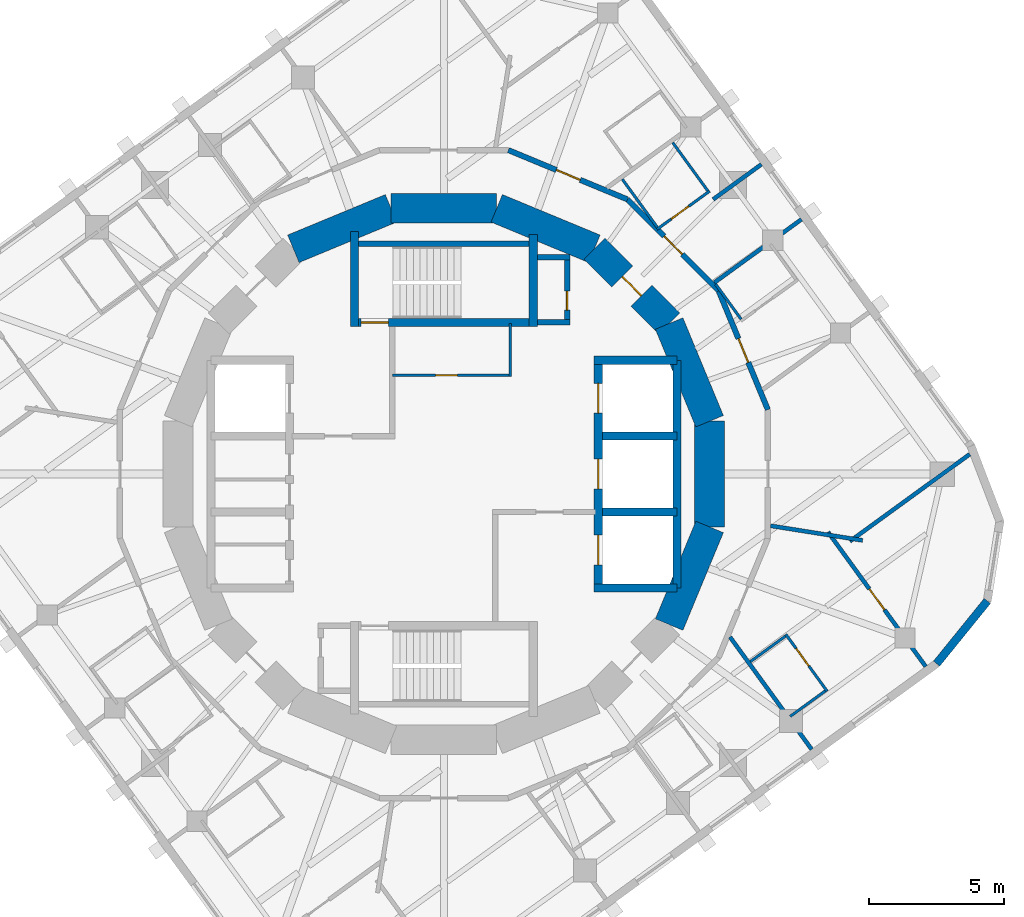
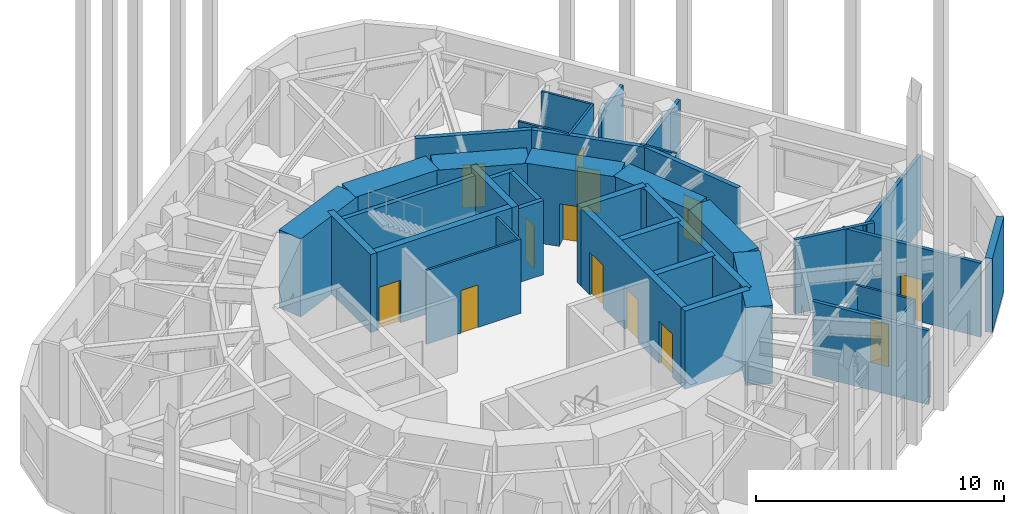
# One storey, part 6 of 9: 39 walls, 13 doors, 13 openings.
"""IFC4 building model written with IfcOpenShell, lengths in metres."""

from ifc_helpers import new_model, si_unit, direction, frame, frame_2d, origin, place, context, subcontext, project, spatial, rectangle, extrude, material, layer, layer_set, type_object, element, fill, save


model = new_model("IFC4")

# Units and contexts
model_context = context("Model", 3, precision=1e-05, world=origin(), true_north=direction((0.0, 1.0)))
body_context = subcontext(model_context, "Body", "Model", "MODEL_VIEW")
ifc_project = project(units=[si_unit("LENGTHUNIT", "METRE"), si_unit("AREAUNIT", "SQUARE_METRE"), si_unit("VOLUMEUNIT", "CUBIC_METRE"), si_unit("PLANEANGLEUNIT", "RADIAN"), si_unit("MASSUNIT", "GRAM", prefix="KILO")], contexts=[model_context])

# Site, building, storey
site_placement = place(None, origin())
site = spatial("IfcSite", under=ifc_project, at=site_placement, CompositionType="ELEMENT")
building_placement = place(site_placement, origin())
building = spatial("IfcBuilding", under=site, at=building_placement, Name="Nakasero Lantern House", CompositionType="ELEMENT")
storey_placement = place(building_placement, frame((0.0, 0.0, 263.75)))
storey = spatial("IfcBuildingStorey", under=building, at=storey_placement, Name="L64", CompositionType="ELEMENT", Elevation=263.75)

# Wall, openings, doors
ifc_material_1 = material(Name="Concrete C50/60", Category="concrete")
ifc_layer_1 = layer(ifc_material_1, 0.300048828125)
ifc_layer_set_1 = layer_set([ifc_layer_1], Name="Core inner wall 300")
wall_type_1 = type_object("IfcWallType", Name="Core inner wall 300", PredefinedType="SHEAR", material=ifc_layer_set_1)
wall_1_placement = place(storey_placement, frame((5.699951171875, -4.199951171875, 0.0), z_axis=(0.0, 0.0, 1.0), x_axis=(0.0, 1.0, 0.0)))
wall_1 = element("IfcWall", 1, at=wall_1_placement, inside=storey, type_object=wall_type_1, Name="Core inner wall L64 LE", PredefinedType="SHEAR", context=body_context, shape_type="SweptSolid", body=[
    extrude(rectangle(XDim=8.39990234375, YDim=0.300048828125, at=frame_2d((4.199951171875, 0.0))), origin(), (0.0, 0.0, 1.0), 3.85009765625),
])
opening_1_placement = place(wall_1_placement, frame((0.85009765625, 0.0, 0.0)))
opening_1 = element("IfcOpeningElement", 2, at=opening_1_placement, cuts=wall_1, Name="Opening LD", PredefinedType="OPENING", context=body_context, shape_type="SweptSolid", body=[
    extrude(rectangle(XDim=1.10009765625, YDim=2.10009765625, at=frame_2d((0.550048828125, 1.050048828125))), frame((0.0, 0.169921875, 0.0), z_axis=(0.0, -1.0, 0.0), x_axis=(1.0, 0.0, 0.0)), (0.0, 0.0, 1.0), 0.340087890625),
])
opening_2_placement = place(wall_1_placement, frame((3.64990234375, 0.0, 0.0)))
opening_2 = element("IfcOpeningElement", 3, at=opening_2_placement, cuts=wall_1, Name="Opening LD", PredefinedType="OPENING", context=body_context, shape_type="SweptSolid", body=[
    extrude(rectangle(XDim=1.10009765625, YDim=2.10009765625, at=frame_2d((0.550048828125, 1.050048828125))), frame((0.0, 0.169921875, 0.0), z_axis=(0.0, -1.0, 0.0), x_axis=(1.0, 0.0, 0.0)), (0.0, 0.0, 1.0), 0.340087890625),
])
opening_3_placement = place(wall_1_placement, frame((6.449951171875, 0.0, 0.0)))
opening_3 = element("IfcOpeningElement", 4, at=opening_3_placement, cuts=wall_1, Name="Opening LD", PredefinedType="OPENING", context=body_context, shape_type="SweptSolid", body=[
    extrude(rectangle(XDim=1.10009765625, YDim=2.10009765625, at=frame_2d((0.550048828125, 1.050048828125))), frame((0.0, 0.169921875, 0.0), z_axis=(0.0, -1.0, 0.0), x_axis=(1.0, 0.0, 0.0)), (0.0, 0.0, 1.0), 0.340087890625),
])
ifc_material_2 = material(Name="Steel S355", Category="steel")
door_type_1 = type_object("IfcDoorType", Name="Lift landing door E120 1100", OperationType="SLIDING_TO_LEFT", PredefinedType="DOOR", material=ifc_material_2)
door_1_placement = place(opening_1_placement, origin())
door_1 = element("IfcDoor", 5, at=door_1_placement, inside=storey, type_object=door_type_1, Name="Lift landing door LE1", OperationType="SLIDING_TO_LEFT", OverallHeight=2.10009765625, OverallWidth=1.10009765625, PredefinedType="DOOR", context=body_context, shape_type="SweptSolid", body=[
    extrude(rectangle(XDim=1.10009765625, YDim=2.10009765625, at=frame_2d((0.550048828125, 1.050048828125))), frame((0.0, 0.02490234375, 0.0), z_axis=(0.0, -1.0, 0.0), x_axis=(1.0, 0.0, 0.0)), (0.0, 0.0, 1.0), 0.050048828125),
])
fill(opening_1, door_1)
door_2_placement = place(opening_2_placement, origin())
door_2 = element("IfcDoor", 6, at=door_2_placement, inside=storey, type_object=door_type_1, Name="Lift landing door LE2", OperationType="SLIDING_TO_LEFT", OverallHeight=2.10009765625, OverallWidth=1.10009765625, PredefinedType="DOOR", context=body_context, shape_type="SweptSolid", body=[
    extrude(rectangle(XDim=1.10009765625, YDim=2.10009765625, at=frame_2d((0.550048828125, 1.050048828125))), frame((0.0, 0.02490234375, 0.0), z_axis=(0.0, -1.0, 0.0), x_axis=(1.0, 0.0, 0.0)), (0.0, 0.0, 1.0), 0.050048828125),
])
fill(opening_2, door_2)
door_3_placement = place(opening_3_placement, origin())
door_3 = element("IfcDoor", 7, at=door_3_placement, inside=storey, type_object=door_type_1, Name="Lift landing door LE3", OperationType="SLIDING_TO_LEFT", OverallHeight=2.10009765625, OverallWidth=1.10009765625, PredefinedType="DOOR", context=body_context, shape_type="SweptSolid", body=[
    extrude(rectangle(XDim=1.10009765625, YDim=2.10009765625, at=frame_2d((0.550048828125, 1.050048828125))), frame((0.0, 0.02490234375, 0.0), z_axis=(0.0, -1.0, 0.0), x_axis=(1.0, 0.0, 0.0)), (0.0, 0.0, 1.0), 0.050048828125),
])
fill(opening_3, door_3)

# Walls
for number, where, z_axis, x_axis, name in (
    (8, (5.550048828125, 4.199951171875, 0.0), (0.0, 0.0, 1.0), (1.0, 0.0, 0.0), "Core inner wall L64 LEN"),
    (9, (5.550048828125, -4.199951171875, 0.0), (0.0, 0.0, 1.0), (1.0, 0.0, 0.0), "Core inner wall L64 LES"),
):
    element("IfcWall", number, at=place(storey_placement, frame(where, z_axis=z_axis, x_axis=x_axis)), inside=storey, type_object=wall_type_1, Name=name, PredefinedType="SHEAR", context=body_context, shape_type="SweptSolid", body=[
        extrude(rectangle(XDim=3.050048828125, YDim=0.300048828125, at=frame_2d((1.52490234375, 0.0))), origin(), (0.0, 0.0, 1.0), 3.85009765625),
    ])
wall_2_placement = place(storey_placement, frame((8.60009765625, -4.199951171875, 0.0), z_axis=(0.0, 0.0, 1.0), x_axis=(0.0, 1.0, 0.0)))
element("IfcWall", 10, at=wall_2_placement, inside=storey, type_object=wall_type_1, Name="Core inner wall L64 LEB", PredefinedType="SHEAR", context=body_context, shape_type="SweptSolid", body=[
    extrude(rectangle(XDim=8.39990234375, YDim=0.300048828125, at=frame_2d((4.199951171875, 0.0))), origin(), (0.0, 0.0, 1.0), 3.85009765625),
])
for number, where, z_axis, x_axis, name in (
    (11, (5.85009765625, -1.39990234375, 0.0), (0.0, 0.0, 1.0), (1.0, 0.0, 0.0), "Core inner wall L64 LE1"),
    (12, (5.85009765625, 1.39990234375, 0.0), (0.0, 0.0, 1.0), (1.0, 0.0, 0.0), "Core inner wall L64 LE2"),
):
    element("IfcWall", number, at=place(storey_placement, frame(where, z_axis=z_axis, x_axis=x_axis)), inside=storey, type_object=wall_type_1, Name=name, PredefinedType="SHEAR", context=body_context, shape_type="SweptSolid", body=[
        extrude(rectangle(XDim=2.75, YDim=0.300048828125, at=frame_2d((1.375, 0.0))), origin(), (0.0, 0.0, 1.0), 3.85009765625),
    ])

# Wall, opening, door
wall_3_placement = place(storey_placement, frame((-3.449951171875, 5.60009765625, 0.0), z_axis=(0.0, 0.0, 1.0), x_axis=(1.0, 0.0, 0.0)))
wall_3 = element("IfcWall", 13, at=wall_3_placement, inside=storey, type_object=wall_type_1, Name="Core inner wall L64 SN", PredefinedType="SHEAR", context=body_context, shape_type="SweptSolid", body=[
    extrude(rectangle(XDim=6.89990234375, YDim=0.300048828125, at=frame_2d((3.449951171875, 0.0))), origin(), (0.0, 0.0, 1.0), 3.85009765625),
])
opening_4_placement = place(wall_3_placement, frame((0.39990234375, 0.0, 0.0)))
opening_4 = element("IfcOpeningElement", 14, at=opening_4_placement, cuts=wall_3, Name="Opening D05", PredefinedType="OPENING", context=body_context, shape_type="SweptSolid", body=[
    extrude(rectangle(XDim=1.0, YDim=2.10009765625, at=frame_2d((0.5, 1.050048828125))), frame((0.0, 0.169921875, 0.0), z_axis=(0.0, -1.0, 0.0), x_axis=(1.0, 0.0, 0.0)), (0.0, 0.0, 1.0), 0.340087890625),
])
ifc_material_3 = material(Name="Timber C24", Category="wood")
door_type_2 = type_object("IfcDoorType", Name="Core door FD60S 1000", OperationType="SINGLE_SWING_LEFT", PredefinedType="DOOR", material=ifc_material_3)
door_4_placement = place(opening_4_placement, origin())
door_4 = element("IfcDoor", 15, at=door_4_placement, inside=storey, type_object=door_type_2, Name="Door L64 D-ST1", OperationType="SINGLE_SWING_LEFT", OverallHeight=2.10009765625, OverallWidth=1.0, PredefinedType="DOOR", context=body_context, shape_type="SweptSolid", body=[
    extrude(rectangle(XDim=1.0, YDim=2.10009765625, at=frame_2d((0.5, 1.050048828125))), frame((0.0, 0.02490234375, 0.0), z_axis=(0.0, -1.0, 0.0), x_axis=(1.0, 0.0, 0.0)), (0.0, 0.0, 1.0), 0.050048828125),
])
fill(opening_4, door_4)

# Walls
wall_4_placement = place(storey_placement, frame((-3.300048828125, 5.449951171875, 0.0), z_axis=(0.0, 0.0, 1.0), x_axis=(0.0, 1.0, 0.0)))
element("IfcWall", 16, at=wall_4_placement, inside=storey, type_object=wall_type_1, Name="Core inner wall L64 SNW", PredefinedType="SHEAR", context=body_context, shape_type="SweptSolid", body=[
    extrude(rectangle(XDim=3.5, YDim=0.300048828125, at=frame_2d((1.75, 0.0))), origin(), (0.0, 0.0, 1.0), 3.85009765625),
])
wall_5_placement = place(storey_placement, frame((3.300048828125, 5.449951171875, 0.0), z_axis=(0.0, 0.0, 1.0), x_axis=(0.0, 1.0, 0.0)))
element("IfcWall", 17, at=wall_5_placement, inside=storey, type_object=wall_type_1, Name="Core inner wall L64 SNE", PredefinedType="SHEAR", context=body_context, shape_type="SweptSolid", body=[
    extrude(rectangle(XDim=3.400146484375, YDim=0.300048828125, at=frame_2d((1.7001953125, 0.0))), origin(), (0.0, 0.0, 1.0), 3.85009765625),
])

# Wall, opening, door
ifc_material_4 = material(Name="Blockwork", Category="masonry")
ifc_layer_2 = layer(ifc_material_4, 0.10009765625)
ifc_layer_set_2 = layer_set([ifc_layer_2], Name="Core room wall 100")
wall_type_2 = type_object("IfcWallType", Name="Core room wall 100", PredefinedType="PARTITIONING", material=ifc_layer_set_2)
wall_6_placement = place(storey_placement, frame((-1.89990234375, 3.64990234375, 0.0), z_axis=(0.0, 0.0, 1.0), x_axis=(1.0, 0.0, 0.0)))
wall_6 = element("IfcWall", 18, at=wall_6_placement, inside=storey, type_object=wall_type_2, Name="Core room wall L64 CR-NES", PredefinedType="PARTITIONING", context=body_context, shape_type="SweptSolid", body=[
    extrude(rectangle(XDim=4.39990234375, YDim=0.10009765625, at=frame_2d((2.199951171875, 0.0))), origin(), (0.0, 0.0, 1.0), 3.64990234375),
])
opening_5_placement = place(wall_6_placement, frame((1.60009765625, 0.0, 0.0)))
opening_5 = element("IfcOpeningElement", 19, at=opening_5_placement, cuts=wall_6, Name="Opening D15", PredefinedType="OPENING", context=body_context, shape_type="SweptSolid", body=[
    extrude(rectangle(XDim=0.800048828125, YDim=2.10009765625, at=frame_2d((0.39990234375, 1.050048828125))), frame((0.0, 0.070068359375, 0.0), z_axis=(0.0, -1.0, 0.0), x_axis=(1.0, 0.0, 0.0)), (0.0, 0.0, 1.0), 0.14013671875),
])
ifc_material_5 = material(Name="Timber C24", Category="wood")
door_type_3 = type_object("IfcDoorType", Name="Cleaner's store door FD30S 800", OperationType="SINGLE_SWING_LEFT", PredefinedType="DOOR", material=ifc_material_5)
door_5_placement = place(opening_5_placement, origin())
door_5 = element("IfcDoor", 20, at=door_5_placement, inside=storey, type_object=door_type_3, Name="Door L64 D-CR-NE", OperationType="SINGLE_SWING_LEFT", OverallHeight=2.10009765625, OverallWidth=0.800048828125, PredefinedType="DOOR", context=body_context, shape_type="SweptSolid", body=[
    extrude(rectangle(XDim=0.800048828125, YDim=2.10009765625, at=frame_2d((0.39990234375, 1.050048828125))), frame((0.0, 0.02490234375, 0.0), z_axis=(0.0, -1.0, 0.0), x_axis=(1.0, 0.0, 0.0)), (0.0, 0.0, 1.0), 0.050048828125),
])
fill(opening_5, door_5)

# Walls
wall_7_placement = place(storey_placement, frame((2.449951171875, 3.60009765625, 0.0), z_axis=(0.0, 0.0, 1.0), x_axis=(0.0, 1.0, 0.0)))
element("IfcWall", 21, at=wall_7_placement, inside=storey, type_object=wall_type_2, Name="Core room wall L64 CR-NEE", PredefinedType="PARTITIONING", context=body_context, shape_type="SweptSolid", body=[
    extrude(rectangle(XDim=1.949951171875, YDim=0.10009765625, at=frame_2d((0.97509765625, 0.0))), origin(), (0.0, 0.0, 1.0), 3.64990234375),
])
ifc_material_6 = material(Name="Concrete C50/60", Category="concrete")
ifc_layer_3 = layer(ifc_material_6, 1.10009765625)
ifc_layer_set_3 = layer_set([ifc_layer_3], Name="Core wall 1100")
wall_type_3 = type_object("IfcWallType", Name="Core wall 1100", PredefinedType="SHEAR", material=ifc_layer_set_3)
wall_8_placement = place(storey_placement, frame((9.807861328125, 1.950927734375, 0.0), z_axis=(0.0, 0.0, 1.0), x_axis=(-0.382690736062, 0.923876507187, 0.0)))
element("IfcWall", 22, at=wall_8_placement, inside=storey, type_object=wall_type_3, Name="Core wall L64 facet 1", PredefinedType="SHEAR", context=body_context, shape_type="SweptSolid", body=[
    extrude(rectangle(XDim=3.90185546875, YDim=1.10009765625, at=frame_2d((1.950927734375, 0.0))), origin(), (0.0, 0.0, 1.0), 3.85009765625),
])

# Wall, opening, door
wall_9_placement = place(storey_placement, frame((8.314697265625, 5.5556640625, 0.0), z_axis=(0.0, 0.0, 1.0), x_axis=(-0.707106781187, 0.707106781187, 0.0)))
wall_9 = element("IfcWall", 23, at=wall_9_placement, inside=storey, type_object=wall_type_3, Name="Core wall L64 facet 2", PredefinedType="SHEAR", context=body_context, shape_type="SweptSolid", body=[
    extrude(rectangle(XDim=3.90185546875, YDim=1.10009765625, at=frame_2d((1.950927734375, 0.0))), origin(), (0.0, 0.0, 1.0), 3.85009765625),
])
opening_6_placement = place(wall_9_placement, frame((1.450927734375, 0.0, 0.0)))
opening_6 = element("IfcOpeningElement", 24, at=opening_6_placement, cuts=wall_9, Name="Opening D05", PredefinedType="OPENING", context=body_context, shape_type="SweptSolid", body=[
    extrude(rectangle(XDim=1.0, YDim=2.10009765625, at=frame_2d((0.5, 1.050048828125))), frame((0.0, 0.570068359375, 0.0), z_axis=(0.0, -1.0, 0.0), x_axis=(1.0, 0.0, 0.0)), (0.0, 0.0, 1.0), 1.14013671875),
])
door_6_placement = place(opening_6_placement, origin())
door_6 = element("IfcDoor", 25, at=door_6_placement, inside=storey, type_object=door_type_2, Name="Door L64 D-CORE02", OperationType="SINGLE_SWING_LEFT", OverallHeight=2.10009765625, OverallWidth=1.0, PredefinedType="DOOR", context=body_context, shape_type="SweptSolid", body=[
    extrude(rectangle(XDim=1.0, YDim=2.10009765625, at=frame_2d((0.5, 1.050048828125))), frame((0.0, 0.02490234375, 0.0), z_axis=(0.0, -1.0, 0.0), x_axis=(1.0, 0.0, 0.0)), (0.0, 0.0, 1.0), 0.050048828125),
])
fill(opening_6, door_6)

# Walls
for number, where, z_axis, x_axis, name in (
    (26, (5.5556640625, 8.314697265625, 0.0), (0.0, 0.0, 1.0), (-0.923876507187, 0.382690736062, 0.0), "Core wall L64 facet 3"),
    (27, (1.950927734375, 9.807861328125, 0.0), (0.0, 0.0, 1.0), (-1.0, 0.0, 0.0), "Core wall L64 facet 4"),
    (28, (-1.950927734375, 9.807861328125, 0.0), (0.0, 0.0, 1.0), (-0.923876507187, -0.382690736062, 0.0), "Core wall L64 facet 5"),
    (29, (8.314697265625, -5.5556640625, 0.0), (0.0, 0.0, 1.0), (0.382690736062, 0.923876507187, 0.0), "Core wall L64 facet 15"),
    (30, (9.807861328125, -1.950927734375, 0.0), (0.0, 0.0, 1.0), (0.0, 1.0, 0.0), "Core wall L64 facet 16"),
):
    element("IfcWall", number, at=place(storey_placement, frame(where, z_axis=z_axis, x_axis=x_axis)), inside=storey, type_object=wall_type_3, Name=name, PredefinedType="SHEAR", context=body_context, shape_type="SweptSolid", body=[
        extrude(rectangle(XDim=3.90185546875, YDim=1.10009765625, at=frame_2d((1.950927734375, 0.0))), origin(), (0.0, 0.0, 1.0), 3.85009765625),
    ])

# Wall, opening, door
ifc_material_7 = material(Name="Blockwork", Category="masonry")
ifc_layer_4 = layer(ifc_material_7, 0.199951171875)
ifc_layer_set_4 = layer_set([ifc_layer_4], Name="Corridor wall 200")
wall_type_4 = type_object("IfcWallType", Name="Corridor wall 200", PredefinedType="PARTITIONING", material=ifc_layer_set_4)
wall_10_placement = place(storey_placement, frame((2.378662109375, 11.957763671875, 0.0), z_axis=(0.0, 0.0, 1.0), x_axis=(0.923891735412, -0.382653970627, 0.0)))
wall_10 = element("IfcWall", 31, at=wall_10_placement, inside=storey, type_object=wall_type_4, Name="Corridor wall L64 RC13a", PredefinedType="PARTITIONING", context=body_context, shape_type="SweptSolid", body=[
    extrude(rectangle(XDim=4.757080078125, YDim=0.199951171875, at=frame_2d((2.37841796875, 0.0))), origin(), (0.0, 0.0, 1.0), 3.64990234375),
])
opening_7_placement = place(wall_10_placement, frame((1.919921875, 0.0, 0.0)))
opening_7 = element("IfcOpeningElement", 32, at=opening_7_placement, cuts=wall_10, Name="Opening D01", PredefinedType="OPENING", context=body_context, shape_type="SweptSolid", body=[
    extrude(rectangle(XDim=0.949951171875, YDim=2.10009765625, at=frame_2d((0.47509765625, 1.050048828125))), frame((0.0, 0.119873046875, 0.0), z_axis=(0.0, -1.0, 0.0), x_axis=(1.0, 0.0, 0.0)), (0.0, 0.0, 1.0), 0.239990234375),
])
ifc_material_8 = material(Name="Timber C24", Category="wood")
door_type_4 = type_object("IfcDoorType", Name="Bedroom door FD30S 950", OperationType="SINGLE_SWING_LEFT", PredefinedType="DOOR", material=ifc_material_8)
door_7_placement = place(opening_7_placement, origin())
door_7 = element("IfcDoor", 33, at=door_7_placement, inside=storey, type_object=door_type_4, Name="Door L64 D0-06", OperationType="SINGLE_SWING_RIGHT", OverallHeight=2.10009765625, OverallWidth=0.949951171875, PredefinedType="DOOR", context=body_context, shape_type="SweptSolid", body=[
    extrude(rectangle(XDim=0.949951171875, YDim=2.10009765625, at=frame_2d((0.47509765625, 1.050048828125))), frame((0.0, 0.02490234375, 0.0), z_axis=(0.0, -1.0, 0.0), x_axis=(1.0, 0.0, 0.0)), (0.0, 0.0, 1.0), 0.050048828125),
])
fill(opening_7, door_7)

wall_11_placement = place(storey_placement, frame((6.773681640625, 10.137451171875, 0.0), z_axis=(0.0, 0.0, 1.0), x_axis=(0.707106781187, -0.707106781187, 0.0)))
wall_11 = element("IfcWall", 34, at=wall_11_placement, inside=storey, type_object=wall_type_4, Name="Corridor wall L64 RC14a", PredefinedType="PARTITIONING", context=body_context, shape_type="SweptSolid", body=[
    extrude(rectangle(XDim=4.757080078125, YDim=0.199951171875, at=frame_2d((2.37841796875, 0.0))), origin(), (0.0, 0.0, 1.0), 3.64990234375),
])
opening_8_placement = place(wall_11_placement, frame((1.919921875, 0.0, 0.0)))
opening_8 = element("IfcOpeningElement", 35, at=opening_8_placement, cuts=wall_11, Name="Opening D01", PredefinedType="OPENING", context=body_context, shape_type="SweptSolid", body=[
    extrude(rectangle(XDim=0.949951171875, YDim=2.10009765625, at=frame_2d((0.47509765625, 1.050048828125))), frame((0.0, 0.119873046875, 0.0), z_axis=(0.0, -1.0, 0.0), x_axis=(1.0, 0.0, 0.0)), (0.0, 0.0, 1.0), 0.239990234375),
])
door_8_placement = place(opening_8_placement, origin())
door_8 = element("IfcDoor", 36, at=door_8_placement, inside=storey, type_object=door_type_4, Name="Door L64 D0-04", OperationType="SINGLE_SWING_RIGHT", OverallHeight=2.10009765625, OverallWidth=0.949951171875, PredefinedType="DOOR", context=body_context, shape_type="SweptSolid", body=[
    extrude(rectangle(XDim=0.949951171875, YDim=2.10009765625, at=frame_2d((0.47509765625, 1.050048828125))), frame((0.0, 0.02490234375, 0.0), z_axis=(0.0, -1.0, 0.0), x_axis=(1.0, 0.0, 0.0)), (0.0, 0.0, 1.0), 0.050048828125),
])
fill(opening_8, door_8)

wall_12_placement = place(storey_placement, frame((10.137451171875, 6.773681640625, 0.0), z_axis=(0.0, 0.0, 1.0), x_axis=(0.382653970627, -0.923891735412, 0.0)))
wall_12 = element("IfcWall", 37, at=wall_12_placement, inside=storey, type_object=wall_type_4, Name="Corridor wall L64 RC15a", PredefinedType="PARTITIONING", context=body_context, shape_type="SweptSolid", body=[
    extrude(rectangle(XDim=4.757080078125, YDim=0.199951171875, at=frame_2d((2.37841796875, 0.0))), origin(), (0.0, 0.0, 1.0), 3.64990234375),
])
opening_9_placement = place(wall_12_placement, frame((1.919921875, 0.0, 0.0)))
opening_9 = element("IfcOpeningElement", 38, at=opening_9_placement, cuts=wall_12, Name="Opening D01", PredefinedType="OPENING", context=body_context, shape_type="SweptSolid", body=[
    extrude(rectangle(XDim=0.949951171875, YDim=2.10009765625, at=frame_2d((0.47509765625, 1.050048828125))), frame((0.0, 0.119873046875, 0.0), z_axis=(0.0, -1.0, 0.0), x_axis=(1.0, 0.0, 0.0)), (0.0, 0.0, 1.0), 0.239990234375),
])
door_9_placement = place(opening_9_placement, origin())
door_9 = element("IfcDoor", 39, at=door_9_placement, inside=storey, type_object=door_type_4, Name="Door L64 D0-03", OperationType="SINGLE_SWING_RIGHT", OverallHeight=2.10009765625, OverallWidth=0.949951171875, PredefinedType="DOOR", context=body_context, shape_type="SweptSolid", body=[
    extrude(rectangle(XDim=0.949951171875, YDim=2.10009765625, at=frame_2d((0.47509765625, 1.050048828125))), frame((0.0, 0.02490234375, 0.0), z_axis=(0.0, -1.0, 0.0), x_axis=(1.0, 0.0, 0.0)), (0.0, 0.0, 1.0), 0.050048828125),
])
fill(opening_9, door_9)

# Wall
ifc_material_9 = material(Name="Blockwork", Category="masonry")
ifc_layer_5 = layer(ifc_material_9, 0.10009765625)
ifc_layer_set_5 = layer_set([ifc_layer_5], Name="En-suite wall 100")
wall_type_5 = type_object("IfcWallType", Name="En-suite wall 100", PredefinedType="PARTITIONING", material=ifc_layer_set_5)
wall_13_placement = place(storey_placement, frame((10.9716796875, 5.713623046875, 0.0), z_axis=(0.0, 0.0, 1.0), x_axis=(-0.587772420479, 0.809026317077, 0.0)))
element("IfcWall", 40, at=wall_13_placement, inside=storey, type_object=wall_type_5, Name="En-suite wall L64 EI0-03", PredefinedType="PARTITIONING", context=body_context, shape_type="SweptSolid", body=[
    extrude(rectangle(XDim=1.60009765625, YDim=0.10009765625, at=frame_2d((0.800048828125, 0.0))), origin(), (0.0, 0.0, 1.0), 3.64990234375),
])

# Wall, opening, door
wall_14_placement = place(storey_placement, frame((7.867431640625, 9.0341796875, 0.0), z_axis=(0.0, 0.0, 1.0), x_axis=(0.809026317077, 0.587772420479, 0.0)))
wall_14 = element("IfcWall", 41, at=wall_14_placement, inside=storey, type_object=wall_type_5, Name="En-suite wall L64 ES0-04", PredefinedType="PARTITIONING", context=body_context, shape_type="SweptSolid", body=[
    extrude(rectangle(XDim=2.39990234375, YDim=0.10009765625, at=frame_2d((1.199951171875, 0.0))), origin(), (0.0, 0.0, 1.0), 3.64990234375),
])
opening_10_placement = place(wall_14_placement, frame((0.64990234375, 0.0, 0.0)))
opening_10 = element("IfcOpeningElement", 42, at=opening_10_placement, cuts=wall_14, Name="Opening D02", PredefinedType="OPENING", context=body_context, shape_type="SweptSolid", body=[
    extrude(rectangle(XDim=0.800048828125, YDim=2.10009765625, at=frame_2d((0.39990234375, 1.050048828125))), frame((0.0, 0.070068359375, 0.0), z_axis=(0.0, -1.0, 0.0), x_axis=(1.0, 0.0, 0.0)), (0.0, 0.0, 1.0), 0.14013671875),
])
ifc_material_10 = material(Name="Timber C24", Category="wood")
door_type_5 = type_object("IfcDoorType", Name="En-suite door 800", OperationType="SINGLE_SWING_RIGHT", PredefinedType="DOOR", material=ifc_material_10)
door_10_placement = place(opening_10_placement, origin())
door_10 = element("IfcDoor", 43, at=door_10_placement, inside=storey, type_object=door_type_5, Name="Door L64 DE0-04", OperationType="SINGLE_SWING_LEFT", OverallHeight=2.10009765625, OverallWidth=0.800048828125, PredefinedType="DOOR", context=body_context, shape_type="SweptSolid", body=[
    extrude(rectangle(XDim=0.800048828125, YDim=2.10009765625, at=frame_2d((0.39990234375, 1.050048828125))), frame((0.0, 0.02490234375, 0.0), z_axis=(0.0, -1.0, 0.0), x_axis=(1.0, 0.0, 0.0)), (0.0, 0.0, 1.0), 0.050048828125),
])
fill(opening_10, door_10)

# Walls
for number, where, z_axis, x_axis, name in (
    (44, (9.7392578125, 10.4560546875, 0.0), (0.0, 0.0, 1.0), (-0.587821928992, 0.808990345923, 0.0), "En-suite wall L64 EE0-04"),
    (45, (7.87841796875, 9.10400390625, 0.0), (0.0, 0.0, 1.0), (-0.587749294152, 0.809043118272, 0.0), "En-suite wall L64 EI0-04"),
):
    element("IfcWall", number, at=place(storey_placement, frame(where, z_axis=z_axis, x_axis=x_axis)), inside=storey, type_object=wall_type_5, Name=name, PredefinedType="PARTITIONING", context=body_context, shape_type="SweptSolid", body=[
        extrude(rectangle(XDim=2.199951171875, YDim=0.10009765625, at=frame_2d((1.10009765625, 0.0))), origin(), (0.0, 0.0, 1.0), 3.64990234375),
    ])

# Wall, opening, door
wall_15_placement = place(storey_placement, frame((12.619384765625, -5.91162109375, 0.0), z_axis=(0.0, 0.0, 1.0), x_axis=(0.587730526155, -0.809056752413, 0.0)))
wall_15 = element("IfcWall", 46, at=wall_15_placement, inside=storey, type_object=wall_type_5, Name="En-suite wall L64 ES3-06", PredefinedType="PARTITIONING", context=body_context, shape_type="SweptSolid", body=[
    extrude(rectangle(XDim=2.599853515625, YDim=0.10009765625, at=frame_2d((1.2998046875, 0.0))), origin(), (0.0, 0.0, 1.0), 3.64990234375),
])
opening_11_placement = place(wall_15_placement, frame((0.64990234375, 0.0, 0.0)))
opening_11 = element("IfcOpeningElement", 47, at=opening_11_placement, cuts=wall_15, Name="Opening D02", PredefinedType="OPENING", context=body_context, shape_type="SweptSolid", body=[
    extrude(rectangle(XDim=0.800048828125, YDim=2.10009765625, at=frame_2d((0.39990234375, 1.050048828125))), frame((0.0, 0.070068359375, 0.0), z_axis=(0.0, -1.0, 0.0), x_axis=(1.0, 0.0, 0.0)), (0.0, 0.0, 1.0), 0.14013671875),
])
door_11_placement = place(opening_11_placement, origin())
door_11 = element("IfcDoor", 48, at=door_11_placement, inside=storey, type_object=door_type_5, Name="Door L64 DE3-06", OperationType="SINGLE_SWING_LEFT", OverallHeight=2.10009765625, OverallWidth=0.800048828125, PredefinedType="DOOR", context=body_context, shape_type="SweptSolid", body=[
    extrude(rectangle(XDim=0.800048828125, YDim=2.10009765625, at=frame_2d((0.39990234375, 1.050048828125))), frame((0.0, 0.02490234375, 0.0), z_axis=(0.0, -1.0, 0.0), x_axis=(1.0, 0.0, 0.0)), (0.0, 0.0, 1.0), 0.050048828125),
])
fill(opening_11, door_11)

# Walls
wall_16_placement = place(storey_placement, frame((12.783203125, -8.9443359375, 0.0), z_axis=(0.0, 0.0, 1.0), x_axis=(0.809026317077, 0.587772420479, 0.0)))
element("IfcWall", 49, at=wall_16_placement, inside=storey, type_object=wall_type_5, Name="En-suite wall L64 EE3-06", PredefinedType="PARTITIONING", context=body_context, shape_type="SweptSolid", body=[
    extrude(rectangle(XDim=1.60009765625, YDim=0.10009765625, at=frame_2d((0.800048828125, 0.0))), origin(), (0.0, 0.0, 1.0), 3.64990234375),
])
wall_17_placement = place(storey_placement, frame((11.313720703125, -6.921875, 0.0), z_axis=(0.0, 0.0, 1.0), x_axis=(0.809026317077, 0.587772420479, 0.0)))
element("IfcWall", 50, at=wall_17_placement, inside=storey, type_object=wall_type_5, Name="En-suite wall L64 EI3-06", PredefinedType="PARTITIONING", context=body_context, shape_type="SweptSolid", body=[
    extrude(rectangle(XDim=1.60009765625, YDim=0.10009765625, at=frame_2d((0.800048828125, 0.0))), origin(), (0.0, 0.0, 1.0), 3.18994140625),
])
ifc_material_11 = material(Name="Aluminium rainscreen on blockwork", Category="masonry")
ifc_layer_6 = layer(ifc_material_11, 0.300048828125)
ifc_layer_set_6 = layer_set([ifc_layer_6], Name="Facade wall 300")
wall_type_6 = type_object("IfcWallType", Name="Facade wall 300", PredefinedType="SOLIDWALL", material=ifc_layer_set_6)
wall_18_placement = place(storey_placement, frame((18.185791015625, -6.996826171875, 0.0), z_axis=(0.0, 0.0, 1.0), x_axis=(0.629375183362, 0.777101588319, 0.0)))
element("IfcWall", 51, at=wall_18_placement, inside=storey, type_object=wall_type_6, Name="Facade wall L64 FW3C1", PredefinedType="SOLIDWALL", context=body_context, shape_type="SweptSolid", body=[
    extrude(rectangle(XDim=2.976318359375, YDim=0.300048828125, at=frame_2d((1.48828125, 0.0))), origin(), (0.0, 0.0, 1.0), 3.64990234375),
])

# Wall, opening, door
ifc_material_12 = material(Name="Blockwork", Category="masonry")
ifc_layer_7 = layer(ifc_material_12, 0.199951171875)
ifc_layer_set_7 = layer_set([ifc_layer_7], Name="Fire lobby wall 200")
wall_type_7 = type_object("IfcWallType", Name="Fire lobby wall 200", PredefinedType="PARTITIONING", material=ifc_layer_set_7)
wall_19_placement = place(storey_placement, frame((4.550048828125, 5.60009765625, 0.0), z_axis=(0.0, 0.0, 1.0), x_axis=(0.0, 1.0, 0.0)))
wall_19 = element("IfcWall", 52, at=wall_19_placement, inside=storey, type_object=wall_type_7, Name="Fire lobby wall L64 W-RS1E", PredefinedType="PARTITIONING", context=body_context, shape_type="SweptSolid", body=[
    extrude(rectangle(XDim=2.39990234375, YDim=0.199951171875, at=frame_2d((1.199951171875, 0.0))), origin(), (0.0, 0.0, 1.0), 3.64990234375),
])
opening_12_placement = place(wall_19_placement, frame((0.449951171875, 0.0, 0.0)))
opening_12 = element("IfcOpeningElement", 53, at=opening_12_placement, cuts=wall_19, Name="Opening D06", PredefinedType="OPENING", context=body_context, shape_type="SweptSolid", body=[
    extrude(rectangle(XDim=0.699951171875, YDim=2.10009765625, at=frame_2d((0.35009765625, 1.050048828125))), frame((0.0, 0.119873046875, 0.0), z_axis=(0.0, -1.0, 0.0), x_axis=(1.0, 0.0, 0.0)), (0.0, 0.0, 1.0), 0.239990234375),
])
ifc_material_13 = material(Name="Steel S355", Category="steel")
door_type_6 = type_object("IfcDoorType", Name="Riser door FD60 700", OperationType="SINGLE_SWING_LEFT", PredefinedType="DOOR", material=ifc_material_13)
door_12_placement = place(opening_12_placement, origin())
door_12 = element("IfcDoor", 54, at=door_12_placement, inside=storey, type_object=door_type_6, Name="Door L64 D-RS1", OperationType="SINGLE_SWING_LEFT", OverallHeight=2.10009765625, OverallWidth=0.699951171875, PredefinedType="DOOR", context=body_context, shape_type="SweptSolid", body=[
    extrude(rectangle(XDim=0.699951171875, YDim=2.10009765625, at=frame_2d((0.35009765625, 1.050048828125))), frame((0.0, 0.02490234375, 0.0), z_axis=(0.0, -1.0, 0.0), x_axis=(1.0, 0.0, 0.0)), (0.0, 0.0, 1.0), 0.050048828125),
])
fill(opening_12, door_12)

# Walls
for number, where, z_axis, x_axis, name in (
    (55, (3.449951171875, 8.0, 0.0), (0.0, 0.0, 1.0), (1.0, 0.0, 0.0), "Fire lobby wall L64 W-RS1N"),
    (56, (3.449951171875, 5.60009765625, 0.0), (0.0, 0.0, 1.0), (1.0, 0.0, 0.0), "Fire lobby wall L64 W-RS1S"),
):
    element("IfcWall", number, at=place(storey_placement, frame(where, z_axis=z_axis, x_axis=x_axis)), inside=storey, type_object=wall_type_7, Name=name, PredefinedType="PARTITIONING", context=body_context, shape_type="SweptSolid", body=[
        extrude(rectangle(XDim=1.199951171875, YDim=0.199951171875, at=frame_2d((0.60009765625, 0.0))), origin(), (0.0, 0.0, 1.0), 3.64990234375),
    ])
wall_20_placement = place(storey_placement, frame((-3.300048828125, 8.5, 0.0), z_axis=(0.0, 0.0, 1.0), x_axis=(1.0, 0.0, 0.0)))
element("IfcWall", 57, at=wall_20_placement, inside=storey, type_object=wall_type_7, Name="Fire lobby wall L64 W-STN", PredefinedType="PARTITIONING", context=body_context, shape_type="SweptSolid", body=[
    extrude(rectangle(XDim=6.60009765625, YDim=0.199951171875, at=frame_2d((3.300048828125, 0.0))), origin(), (0.0, 0.0, 1.0), 3.64990234375),
])
ifc_material_14 = material(Name="Blockwork", Category="masonry")
ifc_layer_8 = layer(ifc_material_14, 0.14990234375)
ifc_layer_set_8 = layer_set([ifc_layer_8], Name="Party wall 150")
wall_type_8 = type_object("IfcWallType", Name="Party wall 150", PredefinedType="PARTITIONING", material=ifc_layer_set_8)
wall_21_placement = place(storey_placement, frame((9.939208984375, 10.13818359375, 0.0), z_axis=(0.0, 0.0, 1.0), x_axis=(0.808990345923, 0.587821928992, 0.0)))
element("IfcWall", 58, at=wall_21_placement, inside=storey, type_object=wall_type_8, Name="Party wall L64 PN0-05", PredefinedType="PARTITIONING", context=body_context, shape_type="SweptSolid", body=[
    extrude(rectangle(XDim=2.199951171875, YDim=0.14990234375, at=frame_2d((1.10009765625, 0.0))), origin(), (0.0, 0.0, 1.0), 3.294921875),
])
wall_22_placement = place(storey_placement, frame((14.9853515625, -2.48095703125, 0.0), z_axis=(0.0, 0.0, 1.0), x_axis=(0.809023745549, 0.587775959987, 0.0)))
element("IfcWall", 59, at=wall_22_placement, inside=storey, type_object=wall_type_8, Name="Party wall L64 PW0-01", PredefinedType="PARTITIONING", context=body_context, shape_type="SweptSolid", body=[
    extrude(rectangle(XDim=5.466552734375, YDim=0.14990234375, at=frame_2d((2.7333984375, 0.0))), origin(), (0.0, 0.0, 1.0), 3.64990234375),
])
wall_23_placement = place(storey_placement, frame((9.985107421875, 7.067138671875, 0.0), z_axis=(0.0, 0.0, 1.0), x_axis=(0.809004739075, 0.587802119896, 0.0)))
element("IfcWall", 60, at=wall_23_placement, inside=storey, type_object=wall_type_8, Name="Party wall L64 PW0-04", PredefinedType="PARTITIONING", context=body_context, shape_type="SweptSolid", body=[
    extrude(rectangle(XDim=3.9677734375, YDim=0.14990234375, at=frame_2d((1.98388671875, 0.0))), origin(), (0.0, 0.0, 1.0), 3.294921875),
])
wall_24_placement = place(storey_placement, frame((10.560791015625, -6.012939453125, 0.0), z_axis=(0.0, 0.0, 1.0), x_axis=(0.587780977736, -0.809020100005, 0.0)))
element("IfcWall", 61, at=wall_24_placement, inside=storey, type_object=wall_type_8, Name="Party wall L64 PW3-06", PredefinedType="PARTITIONING", context=body_context, shape_type="SweptSolid", body=[
    extrude(rectangle(XDim=5.1279296875, YDim=0.14990234375, at=frame_2d((2.56396484375, 0.0))), origin(), (0.0, 0.0, 1.0), 3.64990234375),
])

# Wall, opening, door
wall_25_placement = place(storey_placement, frame((14.1767578125, -2.137939453125, 0.0), z_axis=(0.0, 0.0, 1.0), x_axis=(0.587774266883, -0.809024975628, 0.0)))
wall_25 = element("IfcWall", 62, at=wall_25_placement, inside=storey, type_object=wall_type_8, Name="Party wall L64 PW3-07", PredefinedType="PARTITIONING", context=body_context, shape_type="SweptSolid", body=[
    extrude(rectangle(XDim=6.137451171875, YDim=0.14990234375, at=frame_2d((3.06884765625, 0.0))), origin(), (0.0, 0.0, 1.0), 3.64990234375),
])
opening_13_placement = place(wall_25_placement, frame((2.60009765625, 0.0, 0.0)))
opening_13 = element("IfcOpeningElement", 63, at=opening_13_placement, cuts=wall_25, Name="Opening D01", PredefinedType="OPENING", context=body_context, shape_type="SweptSolid", body=[
    extrude(rectangle(XDim=0.949951171875, YDim=2.10009765625, at=frame_2d((0.47509765625, 1.050048828125))), frame((0.0, 0.094970703125, 0.0), z_axis=(0.0, -1.0, 0.0), x_axis=(1.0, 0.0, 0.0)), (0.0, 0.0, 1.0), 0.18994140625),
])
door_13_placement = place(opening_13_placement, origin())
door_13 = element("IfcDoor", 64, at=door_13_placement, inside=storey, type_object=door_type_4, Name="Door L64 DC3", OperationType="SINGLE_SWING_RIGHT", OverallHeight=2.10009765625, OverallWidth=0.949951171875, PredefinedType="DOOR", context=body_context, shape_type="SweptSolid", body=[
    extrude(rectangle(XDim=0.949951171875, YDim=2.10009765625, at=frame_2d((0.47509765625, 1.050048828125))), frame((0.0, 0.02490234375, 0.0), z_axis=(0.0, -1.0, 0.0), x_axis=(1.0, 0.0, 0.0)), (0.0, 0.0, 1.0), 0.050048828125),
])
fill(opening_13, door_13)

# Wall
wall_26_placement = place(storey_placement, frame((12.057861328125, -1.90966796875, 0.0), z_axis=(0.0, 0.0, 1.0), x_axis=(0.987683439553, -0.156465405864, 0.0)))
element("IfcWall", 65, at=wall_26_placement, inside=storey, type_object=wall_type_8, Name="Party wall L64 PD3", PredefinedType="PARTITIONING", context=body_context, shape_type="SweptSolid", body=[
    extrude(rectangle(XDim=3.440673828125, YDim=0.14990234375, at=frame_2d((1.72021484375, 0.0))), origin(), (0.0, 0.0, 1.0), 3.64990234375),
])

save(model, "model.ifc")
